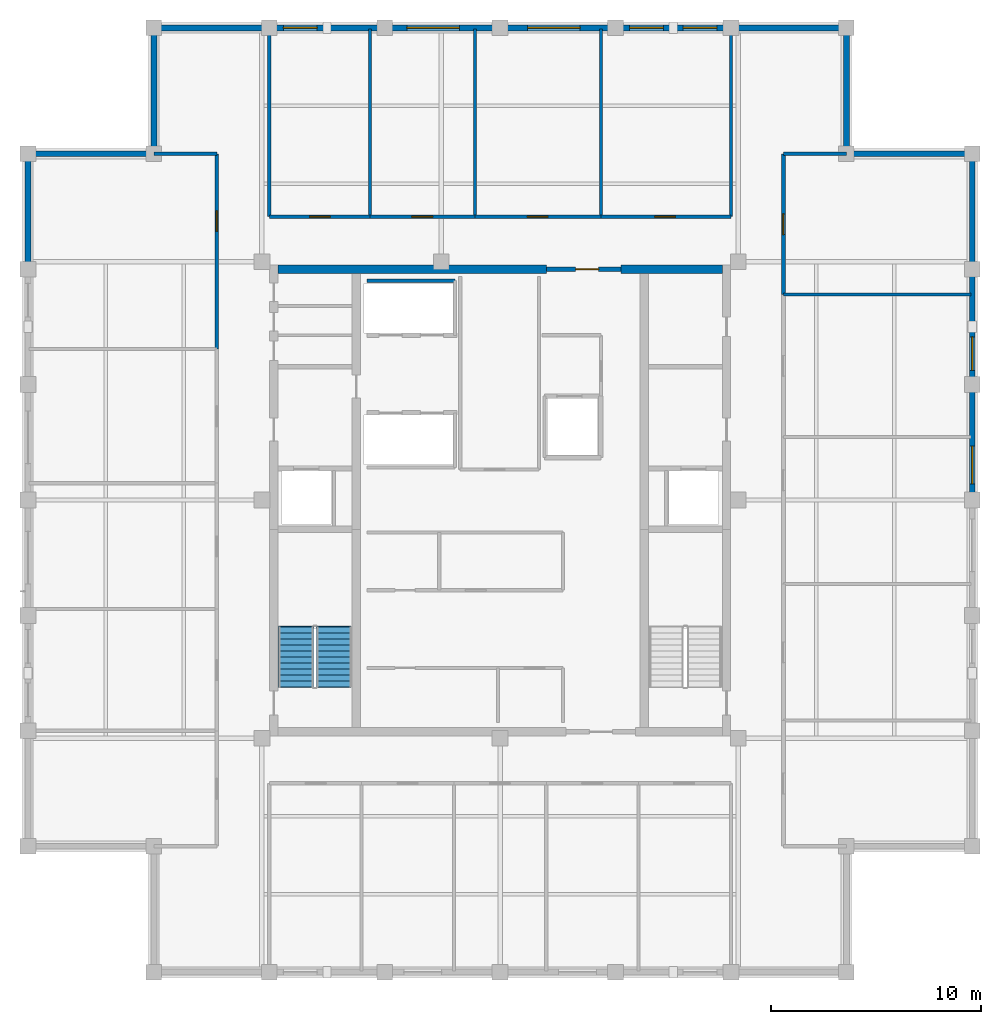
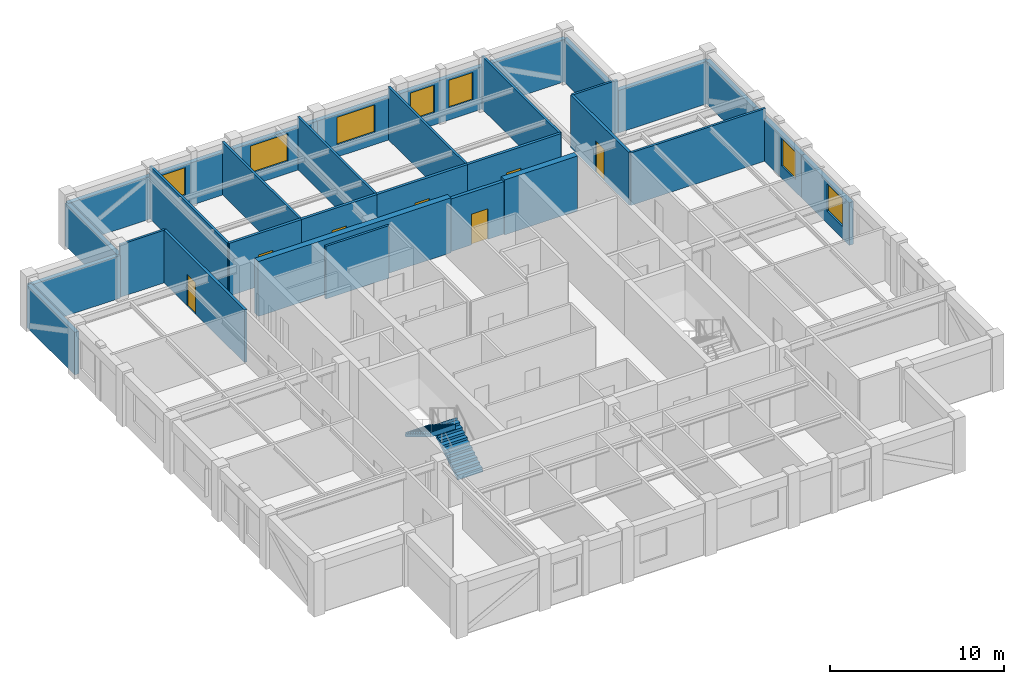
# One storey, part 6 of 8: 32 walls, 7 doors, 7 windows, 2 stair flights, 14 openings, 1 element without a shape of its own.
"""IFC4 building model written with IfcOpenShell, lengths in metres."""

from ifc_helpers import new_model, si_unit, direction, frame, frame_2d, origin, place, context, subcontext, project, spatial, polyline, rectangle, outline, extrude, material, layer, layer_set, type_object, element, fill, aggregate, save


model = new_model("IFC4")

# Units and contexts
model_context = context("Model", 3, precision=1e-05, world=origin(), true_north=direction((0.0, 1.0)))
body_context = subcontext(model_context, "Body", "Model", "MODEL_VIEW")
ifc_project = project(units=[si_unit("LENGTHUNIT", "METRE"), si_unit("AREAUNIT", "SQUARE_METRE"), si_unit("VOLUMEUNIT", "CUBIC_METRE"), si_unit("PLANEANGLEUNIT", "RADIAN"), si_unit("MASSUNIT", "GRAM", prefix="KILO")], contexts=[model_context])

# Site, building, storey
site_placement = place(None, origin())
site = spatial("IfcSite", under=ifc_project, at=site_placement, CompositionType="ELEMENT")
building_placement = place(site_placement, origin())
building = spatial("IfcBuilding", under=site, at=building_placement, Name="Nhamokura Convention Tower", CompositionType="ELEMENT")
storey_placement = place(building_placement, frame((0.0, 0.0, 292.949951171875)))
storey = spatial("IfcBuildingStorey", under=building, at=storey_placement, Name="L72", CompositionType="ELEMENT", Elevation=292.949951171875)

# Wall
ifc_material_1 = material(Name="Bronze-pigmented precast concrete C45/55", Category="concrete")
ifc_layer_1 = layer(ifc_material_1, 0.280029296875)
ifc_layer_set_1 = layer_set([ifc_layer_1], Name="BronzePrecastSpandrel_280")
wall_type_1 = type_object("IfcWallType", Name="BronzePrecastSpandrel_280", PredefinedType="USERDEFINED", material=ifc_layer_set_1)
wall_1_placement = place(storey_placement, frame((15.5, 54.5, 0.0), z_axis=(0.0, 0.0, 1.0), x_axis=(1.0, 0.0, 0.0)))
element("IfcWall", 1, at=wall_1_placement, inside=storey, type_object=wall_type_1, Name="L72 Braced-Bay Precast Wall NORTH 0", ObjectType="SPANDREL_WALL", PredefinedType="USERDEFINED", context=body_context, shape_type="SweptSolid", body=[
    extrude(rectangle(XDim=5.5, YDim=0.280029296875, at=frame_2d((2.75, 0.0))), origin(), (0.0, 0.0, 1.0), 2.985107421875),
])

# Wall, opening, window
wall_2_placement = place(storey_placement, frame((21.0, 54.5, 0.0), z_axis=(0.0, 0.0, 1.0), x_axis=(1.0, 0.0, 0.0)))
wall_2 = element("IfcWall", 2, at=wall_2_placement, inside=storey, type_object=wall_type_1, Name="L72 Masonry-Frame Wall NORTH 1", ObjectType="SPANDREL_WALL", PredefinedType="USERDEFINED", context=body_context, shape_type="SweptSolid", body=[
    extrude(rectangle(XDim=5.5, YDim=0.280029296875, at=frame_2d((2.75, 0.0))), origin(), (0.0, 0.0, 1.0), 2.985107421875),
])
opening_1_placement = place(wall_2_placement, frame((0.675048828125, 0.0, 0.85009765625)))
opening_1 = element("IfcOpeningElement", 3, at=opening_1_placement, cuts=wall_2, Name="Opening W-11", PredefinedType="OPENING", context=body_context, shape_type="SweptSolid", body=[
    extrude(rectangle(XDim=1.60009765625, YDim=1.93505859375, at=frame_2d((0.800048828125, 0.967529296875))), frame((0.0, 0.14990234375, 0.0), z_axis=(0.0, -1.0, 0.0), x_axis=(1.0, 0.0, 0.0)), (0.0, 0.0, 1.0), 0.300048828125),
])
ifc_material_2 = material(Name="Solar-control bronze low-E double glass", Category="glass")
window_type_1 = type_object("IfcWindowType", Name="NotchCornerWindow_1600", PartitioningType="SINGLE_PANEL", PredefinedType="WINDOW", material=ifc_material_2)
window_1_placement = place(opening_1_placement, origin())
window_1 = element("IfcWindow", 4, at=window_1_placement, inside=storey, type_object=window_type_1, Name="L72 Facade Window NORTH 1-1", OverallHeight=1.93505859375, OverallWidth=1.60009765625, PartitioningType="SINGLE_PANEL", PredefinedType="WINDOW", context=body_context, shape_type="SweptSolid", body=[
    extrude(rectangle(XDim=1.60009765625, YDim=1.93505859375, at=frame_2d((0.800048828125, 0.967529296875))), frame((0.0, 0.030029296875, 0.0), z_axis=(0.0, -1.0, 0.0), x_axis=(1.0, 0.0, 0.0)), (0.0, 0.0, 1.0), 0.06005859375),
])
fill(opening_1, window_1)

wall_3_placement = place(storey_placement, frame((26.5, 54.5, 0.0), z_axis=(0.0, 0.0, 1.0), x_axis=(1.0, 0.0, 0.0)))
wall_3 = element("IfcWall", 5, at=wall_3_placement, inside=storey, type_object=wall_type_1, Name="L72 Masonry-Frame Wall NORTH 2", ObjectType="SPANDREL_WALL", PredefinedType="USERDEFINED", context=body_context, shape_type="SweptSolid", body=[
    extrude(rectangle(XDim=5.5, YDim=0.280029296875, at=frame_2d((2.75, 0.0))), origin(), (0.0, 0.0, 1.0), 2.985107421875),
])
opening_2_placement = place(wall_3_placement, frame((1.0625, 0.0, 0.85009765625)))
opening_2 = element("IfcOpeningElement", 6, at=opening_2_placement, cuts=wall_3, Name="Opening W-09", PredefinedType="OPENING", context=body_context, shape_type="SweptSolid", body=[
    extrude(rectangle(XDim=2.5, YDim=1.93505859375, at=frame_2d((1.25, 0.967529296875))), frame((0.0, 0.14990234375, 0.0), z_axis=(0.0, -1.0, 0.0), x_axis=(1.0, 0.0, 0.0)), (0.0, 0.0, 1.0), 0.300048828125),
])
ifc_material_3 = material(Name="Solar-control bronze low-E double glass", Category="glass")
window_type_2 = type_object("IfcWindowType", Name="SummitWindow_Z4_2500", PartitioningType="DOUBLE_PANEL_VERTICAL", PredefinedType="WINDOW", material=ifc_material_3)
window_2_placement = place(opening_2_placement, origin())
window_2 = element("IfcWindow", 7, at=window_2_placement, inside=storey, type_object=window_type_2, Name="L72 Facade Window NORTH 2-1", OverallHeight=1.93505859375, OverallWidth=2.5, PartitioningType="SINGLE_PANEL", PredefinedType="WINDOW", context=body_context, shape_type="SweptSolid", body=[
    extrude(rectangle(XDim=2.5, YDim=1.93505859375, at=frame_2d((1.25, 0.967529296875))), frame((0.0, 0.030029296875, 0.0), z_axis=(0.0, -1.0, 0.0), x_axis=(1.0, 0.0, 0.0)), (0.0, 0.0, 1.0), 0.06005859375),
])
fill(opening_2, window_2)

wall_4_placement = place(storey_placement, frame((32.0, 54.5, 0.0), z_axis=(0.0, 0.0, 1.0), x_axis=(1.0, 0.0, 0.0)))
wall_4 = element("IfcWall", 8, at=wall_4_placement, inside=storey, type_object=wall_type_1, Name="L72 Masonry-Frame Wall NORTH 3", ObjectType="SPANDREL_WALL", PredefinedType="USERDEFINED", context=body_context, shape_type="SweptSolid", body=[
    extrude(rectangle(XDim=5.5, YDim=0.280029296875, at=frame_2d((2.75, 0.0))), origin(), (0.0, 0.0, 1.0), 2.985107421875),
])
opening_3_placement = place(wall_4_placement, frame((1.3125, 0.0, 0.85009765625)))
opening_3 = element("IfcOpeningElement", 9, at=opening_3_placement, cuts=wall_4, Name="Opening W-09", PredefinedType="OPENING", context=body_context, shape_type="SweptSolid", body=[
    extrude(rectangle(XDim=2.5, YDim=1.93505859375, at=frame_2d((1.25, 0.967529296875))), frame((0.0, 0.14990234375, 0.0), z_axis=(0.0, -1.0, 0.0), x_axis=(1.0, 0.0, 0.0)), (0.0, 0.0, 1.0), 0.300048828125),
])
window_3_placement = place(opening_3_placement, origin())
window_3 = element("IfcWindow", 10, at=window_3_placement, inside=storey, type_object=window_type_2, Name="L72 Facade Window NORTH 3", OverallHeight=1.93505859375, OverallWidth=2.5, PartitioningType="SINGLE_PANEL", PredefinedType="WINDOW", context=body_context, shape_type="SweptSolid", body=[
    extrude(rectangle(XDim=2.5, YDim=1.93505859375, at=frame_2d((1.25, 0.967529296875))), frame((0.0, 0.030029296875, 0.0), z_axis=(0.0, -1.0, 0.0), x_axis=(1.0, 0.0, 0.0)), (0.0, 0.0, 1.0), 0.06005859375),
])
fill(opening_3, window_3)

# Wall, openings, windows
wall_5_placement = place(storey_placement, frame((37.5, 54.5, 0.0), z_axis=(0.0, 0.0, 1.0), x_axis=(1.0, 0.0, 0.0)))
wall_5 = element("IfcWall", 11, at=wall_5_placement, inside=storey, type_object=wall_type_1, Name="L72 Masonry-Frame Wall NORTH 4", ObjectType="SPANDREL_WALL", PredefinedType="USERDEFINED", context=body_context, shape_type="SweptSolid", body=[
    extrude(rectangle(XDim=5.5, YDim=0.280029296875, at=frame_2d((2.75, 0.0))), origin(), (0.0, 0.0, 1.0), 2.985107421875),
])
opening_4_placement = place(wall_5_placement, frame((0.675048828125, 0.0, 0.85009765625)))
opening_4 = element("IfcOpeningElement", 12, at=opening_4_placement, cuts=wall_5, Name="Opening W-11", PredefinedType="OPENING", context=body_context, shape_type="SweptSolid", body=[
    extrude(rectangle(XDim=1.60009765625, YDim=1.93505859375, at=frame_2d((0.800048828125, 0.967529296875))), frame((0.0, 0.14990234375, 0.0), z_axis=(0.0, -1.0, 0.0), x_axis=(1.0, 0.0, 0.0)), (0.0, 0.0, 1.0), 0.300048828125),
])
opening_5_placement = place(wall_5_placement, frame((3.22509765625, 0.0, 0.85009765625)))
opening_5 = element("IfcOpeningElement", 13, at=opening_5_placement, cuts=wall_5, Name="Opening W-11", PredefinedType="OPENING", context=body_context, shape_type="SweptSolid", body=[
    extrude(rectangle(XDim=1.60009765625, YDim=1.93505859375, at=frame_2d((0.800048828125, 0.967529296875))), frame((0.0, 0.14990234375, 0.0), z_axis=(0.0, -1.0, 0.0), x_axis=(1.0, 0.0, 0.0)), (0.0, 0.0, 1.0), 0.300048828125),
])
window_4_placement = place(opening_4_placement, origin())
window_4 = element("IfcWindow", 14, at=window_4_placement, inside=storey, type_object=window_type_1, Name="L72 Facade Window NORTH 4-1", OverallHeight=1.93505859375, OverallWidth=1.60009765625, PartitioningType="SINGLE_PANEL", PredefinedType="WINDOW", context=body_context, shape_type="SweptSolid", body=[
    extrude(rectangle(XDim=1.60009765625, YDim=1.93505859375, at=frame_2d((0.800048828125, 0.967529296875))), frame((0.0, 0.030029296875, 0.0), z_axis=(0.0, -1.0, 0.0), x_axis=(1.0, 0.0, 0.0)), (0.0, 0.0, 1.0), 0.06005859375),
])
fill(opening_4, window_4)
window_5_placement = place(opening_5_placement, origin())
window_5 = element("IfcWindow", 15, at=window_5_placement, inside=storey, type_object=window_type_1, Name="L72 Facade Window NORTH 4-2", OverallHeight=1.93505859375, OverallWidth=1.60009765625, PartitioningType="SINGLE_PANEL", PredefinedType="WINDOW", context=body_context, shape_type="SweptSolid", body=[
    extrude(rectangle(XDim=1.60009765625, YDim=1.93505859375, at=frame_2d((0.800048828125, 0.967529296875))), frame((0.0, 0.030029296875, 0.0), z_axis=(0.0, -1.0, 0.0), x_axis=(1.0, 0.0, 0.0)), (0.0, 0.0, 1.0), 0.06005859375),
])
fill(opening_5, window_5)

# Walls
for number, where, z_axis, x_axis, name in (
    (16, (43.0, 54.5, 0.0), (0.0, 0.0, 1.0), (1.0, 0.0, 0.0), "L72 Braced-Bay Precast Wall NORTH 5"),
    (17, (9.5, 43.0, 0.0), (0.0, 0.0, 1.0), (0.0, 1.0, 0.0), "L72 Braced-Bay Precast Wall WEST 5"),
):
    element("IfcWall", number, at=place(storey_placement, frame(where, z_axis=z_axis, x_axis=x_axis)), inside=storey, type_object=wall_type_1, Name=name, ObjectType="SPANDREL_WALL", PredefinedType="USERDEFINED", context=body_context, shape_type="SweptSolid", body=[
        extrude(rectangle(XDim=5.5, YDim=0.280029296875, at=frame_2d((2.75, 0.0))), origin(), (0.0, 0.0, 1.0), 2.985107421875),
    ])

# Wall, opening, window
wall_6_placement = place(storey_placement, frame((54.5, 37.5, 0.0), z_axis=(0.0, 0.0, 1.0), x_axis=(0.0, -1.0, 0.0)))
wall_6 = element("IfcWall", 18, at=wall_6_placement, inside=storey, type_object=wall_type_1, Name="L72 Masonry-Frame Wall EAST 3", ObjectType="SPANDREL_WALL", PredefinedType="USERDEFINED", context=body_context, shape_type="SweptSolid", body=[
    extrude(rectangle(XDim=5.5, YDim=0.280029296875, at=frame_2d((2.75, 0.0))), origin(), (0.0, 0.0, 1.0), 2.985107421875),
])
opening_6_placement = place(wall_6_placement, frame((2.9375, 0.0, 0.85009765625)))
opening_6 = element("IfcOpeningElement", 19, at=opening_6_placement, cuts=wall_6, Name="Opening W-10", PredefinedType="OPENING", context=body_context, shape_type="SweptSolid", body=[
    extrude(rectangle(XDim=1.800048828125, YDim=1.93505859375, at=frame_2d((0.89990234375, 0.967529296875))), frame((0.0, 0.14990234375, 0.0), z_axis=(0.0, -1.0, 0.0), x_axis=(1.0, 0.0, 0.0)), (0.0, 0.0, 1.0), 0.300048828125),
])
ifc_material_4 = material(Name="Solar-control bronze low-E double glass", Category="glass")
window_type_3 = type_object("IfcWindowType", Name="SummitWindow_Z4_1800", PartitioningType="SINGLE_PANEL", PredefinedType="WINDOW", material=ifc_material_4)
window_6_placement = place(opening_6_placement, origin())
window_6 = element("IfcWindow", 20, at=window_6_placement, inside=storey, type_object=window_type_3, Name="L72 Facade Window EAST 3-2", OverallHeight=1.93505859375, OverallWidth=1.800048828125, PartitioningType="SINGLE_PANEL", PredefinedType="WINDOW", context=body_context, shape_type="SweptSolid", body=[
    extrude(rectangle(XDim=1.800048828125, YDim=1.93505859375, at=frame_2d((0.89990234375, 0.967529296875))), frame((0.0, 0.030029296875, 0.0), z_axis=(0.0, -1.0, 0.0), x_axis=(1.0, 0.0, 0.0)), (0.0, 0.0, 1.0), 0.06005859375),
])
fill(opening_6, window_6)

wall_7_placement = place(storey_placement, frame((54.5, 43.0, 0.0), z_axis=(0.0, 0.0, 1.0), x_axis=(0.0, -1.0, 0.0)))
wall_7 = element("IfcWall", 21, at=wall_7_placement, inside=storey, type_object=wall_type_1, Name="L72 Masonry-Frame Wall EAST 4", ObjectType="SPANDREL_WALL", PredefinedType="USERDEFINED", context=body_context, shape_type="SweptSolid", body=[
    extrude(rectangle(XDim=5.5, YDim=0.280029296875, at=frame_2d((2.75, 0.0))), origin(), (0.0, 0.0, 1.0), 2.985107421875),
])
opening_7_placement = place(wall_7_placement, frame((3.22509765625, 0.0, 0.85009765625)))
opening_7 = element("IfcOpeningElement", 22, at=opening_7_placement, cuts=wall_7, Name="Opening W-11", PredefinedType="OPENING", context=body_context, shape_type="SweptSolid", body=[
    extrude(rectangle(XDim=1.60009765625, YDim=1.93505859375, at=frame_2d((0.800048828125, 0.967529296875))), frame((0.0, 0.14990234375, 0.0), z_axis=(0.0, -1.0, 0.0), x_axis=(1.0, 0.0, 0.0)), (0.0, 0.0, 1.0), 0.300048828125),
])
window_7_placement = place(opening_7_placement, origin())
window_7 = element("IfcWindow", 23, at=window_7_placement, inside=storey, type_object=window_type_1, Name="L72 Facade Window EAST 4-3", OverallHeight=1.93505859375, OverallWidth=1.60009765625, PartitioningType="SINGLE_PANEL", PredefinedType="WINDOW", context=body_context, shape_type="SweptSolid", body=[
    extrude(rectangle(XDim=1.60009765625, YDim=1.93505859375, at=frame_2d((0.800048828125, 0.967529296875))), frame((0.0, 0.030029296875, 0.0), z_axis=(0.0, -1.0, 0.0), x_axis=(1.0, 0.0, 0.0)), (0.0, 0.0, 1.0), 0.06005859375),
])
fill(opening_7, window_7)

# Walls
wall_8_placement = place(storey_placement, frame((54.5, 48.5, 0.0), z_axis=(0.0, 0.0, 1.0), x_axis=(0.0, -1.0, 0.0)))
element("IfcWall", 24, at=wall_8_placement, inside=storey, type_object=wall_type_1, Name="L72 Braced-Bay Precast Wall EAST 5", ObjectType="SPANDREL_WALL", PredefinedType="USERDEFINED", context=body_context, shape_type="SweptSolid", body=[
    extrude(rectangle(XDim=5.5, YDim=0.280029296875, at=frame_2d((2.75, 0.0))), origin(), (0.0, 0.0, 1.0), 2.985107421875),
])
for number, where, z_axis, x_axis, name in (
    (25, (48.5, 48.5, 0.0), (0.0, 0.0, 1.0), (1.0, 0.0, 0.0), "L72 Notched Corner Wall NE1"),
    (26, (48.5, 54.5, 0.0), (0.0, 0.0, 1.0), (0.0, -1.0, 0.0), "L72 Notched Corner Wall NE2"),
    (27, (15.5, 48.5, 0.0), (0.0, 0.0, 1.0), (0.0, 1.0, 0.0), "L72 Notched Corner Wall NW1"),
    (28, (9.5, 48.5, 0.0), (0.0, 0.0, 1.0), (1.0, 0.0, 0.0), "L72 Notched Corner Wall NW2"),
):
    element("IfcWall", number, at=place(storey_placement, frame(where, z_axis=z_axis, x_axis=x_axis)), inside=storey, type_object=wall_type_1, Name=name, ObjectType="SPANDREL_WALL", PredefinedType="USERDEFINED", context=body_context, shape_type="SweptSolid", body=[
        extrude(rectangle(XDim=6.0, YDim=0.280029296875, at=frame_2d((3.0, 0.0))), origin(), (0.0, 0.0, 1.0), 2.985107421875),
    ])
ifc_material_5 = material(Name="Concrete C50/60", Category="concrete")
ifc_layer_2 = layer(ifc_material_5, 0.39990234375)
ifc_layer_set_2 = layer_set([ifc_layer_2], Name="CoreShearWall_400")
wall_type_2 = type_object("IfcWallType", Name="CoreShearWall_400", PredefinedType="SHEAR", material=ifc_layer_set_2)
wall_9_placement = place(storey_placement, frame((21.409912109375, 43.0, 0.0), z_axis=(0.0, 0.0, 1.0), x_axis=(1.0, 0.0, 0.0)))
element("IfcWall", 29, at=wall_9_placement, inside=storey, type_object=wall_type_2, Name="L72 Core Shear Wall CW-N1", PredefinedType="SHEAR", context=body_context, shape_type="SweptSolid", body=[
    extrude(rectangle(XDim=12.7900390625, YDim=0.39990234375, at=frame_2d((6.39501953125, 0.0))), origin(), (0.0, 0.0, 1.0), 3.85009765625),
])
wall_10_placement = place(storey_placement, frame((37.75, 43.0, 0.0), z_axis=(0.0, 0.0, 1.0), x_axis=(1.0, 0.0, 0.0)))
element("IfcWall", 30, at=wall_10_placement, inside=storey, type_object=wall_type_2, Name="L72 Core Shear Wall CW-N2", PredefinedType="SHEAR", context=body_context, shape_type="SweptSolid", body=[
    extrude(rectangle(XDim=4.840087890625, YDim=0.39990234375, at=frame_2d((2.419921875, 0.0))), origin(), (0.0, 0.0, 1.0), 3.85009765625),
])

# Wall, opening, door
ifc_material_6 = material(Name="Fire-rated gypsum and masonry partition", Category="masonry")
ifc_layer_3 = layer(ifc_material_6, 0.179931640625)
ifc_layer_set_3 = layer_set([ifc_layer_3], Name="CorridorRatedWall_180")
wall_type_3 = type_object("IfcWallType", Name="CorridorRatedWall_180", PredefinedType="STANDARD", material=ifc_layer_set_3)
wall_11_placement = place(storey_placement, frame((21.0, 45.5, 0.0), z_axis=(0.0, 0.0, 1.0), x_axis=(1.0, 0.0, 0.0)))
wall_11 = element("IfcWall", 31, at=wall_11_placement, inside=storey, type_object=wall_type_3, Name="L72 Wall INT-L72-CW-N00", PredefinedType="STANDARD", context=body_context, shape_type="SweptSolid", body=[
    extrude(rectangle(XDim=4.800048828125, YDim=0.179931640625, at=frame_2d((2.39990234375, 0.0))), origin(), (0.0, 0.0, 1.0), 3.68505859375),
])
opening_8_placement = place(wall_11_placement, frame((1.925048828125, 0.0, 0.0)))
opening_8 = element("IfcOpeningElement", 32, at=opening_8_placement, cuts=wall_11, Name="Opening D-08", PredefinedType="OPENING", context=body_context, shape_type="SweptSolid", body=[
    extrude(rectangle(XDim=0.97998046875, YDim=2.199951171875, at=frame_2d((0.489990234375, 1.10009765625))), frame((0.0, 0.099853515625, 0.0), z_axis=(0.0, -1.0, 0.0), x_axis=(1.0, 0.0, 0.0)), (0.0, 0.0, 1.0), 0.199951171875),
])
ifc_material_7 = material(Name="Solid oak hardwood", Category="wood")
door_type_1 = type_object("IfcDoorType", Name="OfficeEntryDoor_980", OperationType="NOTDEFINED", PredefinedType="DOOR", material=ifc_material_7)
door_1_placement = place(opening_8_placement, origin())
door_1 = element("IfcDoor", 33, at=door_1_placement, inside=storey, type_object=door_type_1, Name="L72 Research Library N01 Door", OperationType="SINGLE_SWING_LEFT", OverallHeight=2.199951171875, OverallWidth=0.97998046875, PredefinedType="DOOR", context=body_context, shape_type="SweptSolid", body=[
    extrude(rectangle(XDim=0.97998046875, YDim=2.199951171875, at=frame_2d((0.489990234375, 1.10009765625))), frame((0.0, 0.02490234375, 0.0), z_axis=(0.0, -1.0, 0.0), x_axis=(1.0, 0.0, 0.0)), (0.0, 0.0, 1.0), 0.050048828125),
])
fill(opening_8, door_1)

wall_12_placement = place(storey_placement, frame((25.800048828125, 45.5, 0.0), z_axis=(0.0, 0.0, 1.0), x_axis=(1.0, 0.0, 0.0)))
wall_12 = element("IfcWall", 34, at=wall_12_placement, inside=storey, type_object=wall_type_3, Name="L72 Wall INT-L72-CW-N01", PredefinedType="STANDARD", context=body_context, shape_type="SweptSolid", body=[
    extrude(rectangle(XDim=5.0, YDim=0.179931640625, at=frame_2d((2.5, 0.0))), origin(), (0.0, 0.0, 1.0), 3.68505859375),
])
opening_9_placement = place(wall_12_placement, frame((2.0, 0.0, 0.0)))
opening_9 = element("IfcOpeningElement", 35, at=opening_9_placement, cuts=wall_12, Name="Opening D-08", PredefinedType="OPENING", context=body_context, shape_type="SweptSolid", body=[
    extrude(rectangle(XDim=0.97998046875, YDim=2.199951171875, at=frame_2d((0.489990234375, 1.10009765625))), frame((0.0, 0.099853515625, 0.0), z_axis=(0.0, -1.0, 0.0), x_axis=(1.0, 0.0, 0.0)), (0.0, 0.0, 1.0), 0.199951171875),
])
door_2_placement = place(opening_9_placement, origin())
door_2 = element("IfcDoor", 36, at=door_2_placement, inside=storey, type_object=door_type_1, Name="L72 Research Library N02 Door", OperationType="SINGLE_SWING_RIGHT", OverallHeight=2.199951171875, OverallWidth=0.97998046875, PredefinedType="DOOR", context=body_context, shape_type="SweptSolid", body=[
    extrude(rectangle(XDim=0.97998046875, YDim=2.199951171875, at=frame_2d((0.489990234375, 1.10009765625))), frame((0.0, 0.02490234375, 0.0), z_axis=(0.0, -1.0, 0.0), x_axis=(1.0, 0.0, 0.0)), (0.0, 0.0, 1.0), 0.050048828125),
])
fill(opening_9, door_2)

wall_13_placement = place(storey_placement, frame((30.800048828125, 45.5, 0.0), z_axis=(0.0, 0.0, 1.0), x_axis=(1.0, 0.0, 0.0)))
wall_13 = element("IfcWall", 37, at=wall_13_placement, inside=storey, type_object=wall_type_3, Name="L72 Wall INT-L72-CW-N02", PredefinedType="STANDARD", context=body_context, shape_type="SweptSolid", body=[
    extrude(rectangle(XDim=6.0, YDim=0.179931640625, at=frame_2d((3.0, 0.0))), origin(), (0.0, 0.0, 1.0), 3.68505859375),
])
opening_10_placement = place(wall_13_placement, frame((2.5, 0.0, 0.0)))
opening_10 = element("IfcOpeningElement", 38, at=opening_10_placement, cuts=wall_13, Name="Opening D-08", PredefinedType="OPENING", context=body_context, shape_type="SweptSolid", body=[
    extrude(rectangle(XDim=0.97998046875, YDim=2.199951171875, at=frame_2d((0.489990234375, 1.10009765625))), frame((0.0, 0.099853515625, 0.0), z_axis=(0.0, -1.0, 0.0), x_axis=(1.0, 0.0, 0.0)), (0.0, 0.0, 1.0), 0.199951171875),
])
door_3_placement = place(opening_10_placement, origin())
door_3 = element("IfcDoor", 39, at=door_3_placement, inside=storey, type_object=door_type_1, Name="L72 Research Library N03 Door", OperationType="SINGLE_SWING_LEFT", OverallHeight=2.199951171875, OverallWidth=0.97998046875, PredefinedType="DOOR", context=body_context, shape_type="SweptSolid", body=[
    extrude(rectangle(XDim=0.97998046875, YDim=2.199951171875, at=frame_2d((0.489990234375, 1.10009765625))), frame((0.0, 0.02490234375, 0.0), z_axis=(0.0, -1.0, 0.0), x_axis=(1.0, 0.0, 0.0)), (0.0, 0.0, 1.0), 0.050048828125),
])
fill(opening_10, door_3)

wall_14_placement = place(storey_placement, frame((36.800048828125, 45.5, 0.0), z_axis=(0.0, 0.0, 1.0), x_axis=(1.0, 0.0, 0.0)))
wall_14 = element("IfcWall", 40, at=wall_14_placement, inside=storey, type_object=wall_type_3, Name="L72 Wall INT-L72-CW-N03", PredefinedType="STANDARD", context=body_context, shape_type="SweptSolid", body=[
    extrude(rectangle(XDim=6.199951171875, YDim=0.179931640625, at=frame_2d((3.10009765625, 0.0))), origin(), (0.0, 0.0, 1.0), 3.68505859375),
])
opening_11_placement = place(wall_14_placement, frame((2.574951171875, 0.0, 0.0)))
opening_11 = element("IfcOpeningElement", 41, at=opening_11_placement, cuts=wall_14, Name="Opening D-08", PredefinedType="OPENING", context=body_context, shape_type="SweptSolid", body=[
    extrude(rectangle(XDim=0.97998046875, YDim=2.199951171875, at=frame_2d((0.489990234375, 1.10009765625))), frame((0.0, 0.099853515625, 0.0), z_axis=(0.0, -1.0, 0.0), x_axis=(1.0, 0.0, 0.0)), (0.0, 0.0, 1.0), 0.199951171875),
])
door_4_placement = place(opening_11_placement, origin())
door_4 = element("IfcDoor", 42, at=door_4_placement, inside=storey, type_object=door_type_1, Name="L72 Research Library N04 Door", OperationType="SINGLE_SWING_RIGHT", OverallHeight=2.199951171875, OverallWidth=0.97998046875, PredefinedType="DOOR", context=body_context, shape_type="SweptSolid", body=[
    extrude(rectangle(XDim=0.97998046875, YDim=2.199951171875, at=frame_2d((0.489990234375, 1.10009765625))), frame((0.0, 0.02490234375, 0.0), z_axis=(0.0, -1.0, 0.0), x_axis=(1.0, 0.0, 0.0)), (0.0, 0.0, 1.0), 0.050048828125),
])
fill(opening_11, door_4)

wall_15_placement = place(storey_placement, frame((18.5, 39.199951171875, 0.0), z_axis=(0.0, 0.0, 1.0), x_axis=(0.0, 1.0, 0.0)))
wall_15 = element("IfcWall", 43, at=wall_15_placement, inside=storey, type_object=wall_type_3, Name="L72 Wall INT-L72-CW-W04", PredefinedType="STANDARD", context=body_context, shape_type="SweptSolid", body=[
    extrude(rectangle(XDim=9.300048828125, YDim=0.179931640625, at=frame_2d((4.64990234375, 0.0))), origin(), (0.0, 0.0, 1.0), 3.68505859375),
])
opening_12_placement = place(wall_15_placement, frame((5.60009765625, 0.0, 0.0)))
opening_12 = element("IfcOpeningElement", 44, at=opening_12_placement, cuts=wall_15, Name="Opening D-08", PredefinedType="OPENING", context=body_context, shape_type="SweptSolid", body=[
    extrude(rectangle(XDim=0.97998046875, YDim=2.199951171875, at=frame_2d((0.489990234375, 1.10009765625))), frame((0.0, 0.099853515625, 0.0), z_axis=(0.0, -1.0, 0.0), x_axis=(1.0, 0.0, 0.0)), (0.0, 0.0, 1.0), 0.199951171875),
])
door_5_placement = place(opening_12_placement, origin())
door_5 = element("IfcDoor", 45, at=door_5_placement, inside=storey, type_object=door_type_1, Name="L72 Private Office W05 Door", OperationType="SINGLE_SWING_LEFT", OverallHeight=2.199951171875, OverallWidth=0.97998046875, PredefinedType="DOOR", context=body_context, shape_type="SweptSolid", body=[
    extrude(rectangle(XDim=0.97998046875, YDim=2.199951171875, at=frame_2d((0.489990234375, 1.10009765625))), frame((0.0, 0.02490234375, 0.0), z_axis=(0.0, -1.0, 0.0), x_axis=(1.0, 0.0, 0.0)), (0.0, 0.0, 1.0), 0.050048828125),
])
fill(opening_12, door_5)

wall_16_placement = place(storey_placement, frame((45.5, 41.800048828125, 0.0), z_axis=(0.0, 0.0, 1.0), x_axis=(0.0, 1.0, 0.0)))
wall_16 = element("IfcWall", 46, at=wall_16_placement, inside=storey, type_object=wall_type_3, Name="L72 Wall INT-L72-CW-E04", PredefinedType="STANDARD", context=body_context, shape_type="SweptSolid", body=[
    extrude(rectangle(XDim=6.699951171875, YDim=0.179931640625, at=frame_2d((3.35009765625, 0.0))), origin(), (0.0, 0.0, 1.0), 3.68505859375),
])
opening_13_placement = place(wall_16_placement, frame((2.85009765625, 0.0, 0.0)))
opening_13 = element("IfcOpeningElement", 47, at=opening_13_placement, cuts=wall_16, Name="Opening D-08", PredefinedType="OPENING", context=body_context, shape_type="SweptSolid", body=[
    extrude(rectangle(XDim=0.97998046875, YDim=2.199951171875, at=frame_2d((0.489990234375, 1.10009765625))), frame((0.0, 0.099853515625, 0.0), z_axis=(0.0, -1.0, 0.0), x_axis=(1.0, 0.0, 0.0)), (0.0, 0.0, 1.0), 0.199951171875),
])
door_6_placement = place(opening_13_placement, origin())
door_6 = element("IfcDoor", 48, at=door_6_placement, inside=storey, type_object=door_type_1, Name="L72 Reading Lounge E05 Door", OperationType="SINGLE_SWING_LEFT", OverallHeight=2.199951171875, OverallWidth=0.97998046875, PredefinedType="DOOR", context=body_context, shape_type="SweptSolid", body=[
    extrude(rectangle(XDim=0.97998046875, YDim=2.199951171875, at=frame_2d((0.489990234375, 1.10009765625))), frame((0.0, 0.02490234375, 0.0), z_axis=(0.0, -1.0, 0.0), x_axis=(1.0, 0.0, 0.0)), (0.0, 0.0, 1.0), 0.050048828125),
])
fill(opening_13, door_6)

ifc_material_8 = material(Name="Autoclaved concrete blockwork", Category="masonry")
ifc_layer_4 = layer(ifc_material_8, 0.219970703125)
ifc_layer_set_4 = layer_set([ifc_layer_4], Name="FireLobbyWall_220")
wall_type_4 = type_object("IfcWallType", Name="FireLobbyWall_220", PredefinedType="STANDARD", material=ifc_layer_set_4)
wall_17_placement = place(storey_placement, frame((34.199951171875, 43.0, 0.0), z_axis=(0.0, 0.0, 1.0), x_axis=(1.0, 0.0, 0.0)))
wall_17 = element("IfcWall", 49, at=wall_17_placement, inside=storey, type_object=wall_type_4, Name="L72 Wall INT-L72-CPORT-N", PredefinedType="STANDARD", context=body_context, shape_type="SweptSolid", body=[
    extrude(rectangle(XDim=3.550048828125, YDim=0.219970703125, at=frame_2d((1.77490234375, 0.0))), origin(), (0.0, 0.0, 1.0), 3.68505859375),
])
opening_14_placement = place(wall_17_placement, frame((1.39990234375, 0.0, 0.0)))
opening_14 = element("IfcOpeningElement", 50, at=opening_14_placement, cuts=wall_17, Name="Opening D-05", PredefinedType="OPENING", context=body_context, shape_type="SweptSolid", body=[
    extrude(rectangle(XDim=1.10009765625, YDim=2.14990234375, at=frame_2d((0.550048828125, 1.074951171875))), frame((0.0, 0.119873046875, 0.0), z_axis=(0.0, -1.0, 0.0), x_axis=(1.0, 0.0, 0.0)), (0.0, 0.0, 1.0), 0.239990234375),
])
ifc_material_9 = material(Name="Fire-rated steel door", Category="steel")
door_type_2 = type_object("IfcDoorType", Name="FireLobbyDoor_1100", OperationType="NOTDEFINED", PredefinedType="DOOR", material=ifc_material_9)
door_7_placement = place(opening_14_placement, origin())
door_7 = element("IfcDoor", 51, at=door_7_placement, inside=storey, type_object=door_type_2, Name="L72 North Core Lobby Portal Door", OperationType="SINGLE_SWING_RIGHT", OverallHeight=2.14990234375, OverallWidth=1.10009765625, PredefinedType="DOOR", context=body_context, shape_type="SweptSolid", body=[
    extrude(rectangle(XDim=1.10009765625, YDim=2.14990234375, at=frame_2d((0.550048828125, 1.074951171875))), frame((0.0, 0.02490234375, 0.0), z_axis=(0.0, -1.0, 0.0), x_axis=(1.0, 0.0, 0.0)), (0.0, 0.0, 1.0), 0.050048828125),
])
fill(opening_14, door_7)

# Walls
ifc_material_10 = material(Name="Acoustic gypsum stud partition", Category="masonry")
ifc_layer_5 = layer(ifc_material_10, 0.14990234375)
ifc_layer_set_5 = layer_set([ifc_layer_5], Name="InteriorPartition_150")
wall_type_5 = type_object("IfcWallType", Name="InteriorPartition_150", PredefinedType="STANDARD", material=ifc_layer_set_5)
wall_18_placement = place(storey_placement, frame((25.64990234375, 42.449951171875, 0.0), z_axis=(0.0, 0.0, 1.0), x_axis=(1.0, 0.0, 0.0)))
element("IfcWall", 52, at=wall_18_placement, inside=storey, type_object=wall_type_5, Name="L72 Wall INT-L72-B3B-N", PredefinedType="STANDARD", context=body_context, shape_type="SweptSolid", body=[
    extrude(rectangle(XDim=4.2001953125, YDim=0.14990234375, at=frame_2d((2.10009765625, 0.0))), origin(), (0.0, 0.0, 1.0), 3.68505859375),
])
for number, where, z_axis, x_axis, name in (
    (53, (21.0, 45.5, 0.0), (0.0, 0.0, 1.0), (0.0, 1.0, 0.0), "L72 Wall INT-L72-RWL-N"),
    (54, (43.0, 45.5, 0.0), (0.0, 0.0, 1.0), (0.0, 1.0, 0.0), "L72 Wall INT-L72-RWR-N"),
    (55, (25.800048828125, 45.5, 0.0), (0.0, 0.0, 1.0), (0.0, 1.0, 0.0), "L72 Wall INT-L72-RW-N01"),
    (56, (30.800048828125, 45.5, 0.0), (0.0, 0.0, 1.0), (0.0, 1.0, 0.0), "L72 Wall INT-L72-RW-N02"),
    (57, (36.800048828125, 45.5, 0.0), (0.0, 0.0, 1.0), (0.0, 1.0, 0.0), "L72 Wall INT-L72-RW-N03"),
    (58, (45.5, 41.800048828125, 0.0), (0.0, 0.0, 1.0), (1.0, 0.0, 0.0), "L72 Wall INT-L72-RW-E04"),
):
    element("IfcWall", number, at=place(storey_placement, frame(where, z_axis=z_axis, x_axis=x_axis)), inside=storey, type_object=wall_type_5, Name=name, PredefinedType="STANDARD", context=body_context, shape_type="SweptSolid", body=[
        extrude(rectangle(XDim=8.93994140625, YDim=0.14990234375, at=frame_2d((4.469970703125, 0.0))), origin(), (0.0, 0.0, 1.0), 3.68505859375),
    ])
for number, where, z_axis, x_axis, name in (
    (59, (15.5, 48.5, 0.0), (0.0, 0.0, 1.0), (1.0, 0.0, 0.0), "L72 Wall INT-L72-VSTP-WN"),
    (60, (45.5, 48.5, 0.0), (0.0, 0.0, 1.0), (1.0, 0.0, 0.0), "L72 Wall INT-L72-VSTP-EN"),
):
    element("IfcWall", number, at=place(storey_placement, frame(where, z_axis=z_axis, x_axis=x_axis)), inside=storey, type_object=wall_type_5, Name=name, PredefinedType="STANDARD", context=body_context, shape_type="SweptSolid", body=[
        extrude(rectangle(XDim=3.0, YDim=0.14990234375, at=frame_2d((1.5, 0.0))), origin(), (0.0, 0.0, 1.0), 3.68505859375),
    ])

# Stair, stair flights
ifc_material_11 = material(Name="Concrete C40/50", Category="concrete")
stair_type = type_object("IfcStairType", Name="TowerCoreStair_1650", PredefinedType="HALF_TURN_STAIR", material=ifc_material_11)
stair_placement = place(storey_placement, origin())
stair = element("IfcStair", 61, at=stair_placement, inside=storey, type_object=stair_type, Name="L72 West Core Smokeproof Stair ST-01", PredefinedType="HALF_TURN_STAIR")
ifc_material_12 = material(Name="Concrete C40/50", Category="concrete")
stair_flight_type = type_object("IfcStairFlightType", Name="TowerCoreStair_1650_Flight", PredefinedType="STRAIGHT", material=ifc_material_12)
stair_flight_1_placement = place(storey_placement, frame((24.074951171875, 23.10009765625, 0.0), z_axis=(0.0, 0.0, 1.0), x_axis=(0.0, 1.0, 0.0)))
stair_flight_1 = element("IfcStairFlight", 62, at=stair_flight_1_placement, type_object=stair_flight_type, Name="ST-01 flight 1", NumberOfRisers=11, NumberOfTreads=10, PredefinedType="STRAIGHT", RiserHeight=0.175, TreadLength=0.285, context=body_context, shape_type="SweptSolid", body=[
    extrude(outline(polyline([(-0.0419921875, 0.0), (0.0, 0.175048828125), (0.284912109375, 0.175048828125), (0.284912109375, 0.35009765625), (0.570068359375, 0.35009765625), (0.570068359375, 0.52490234375), (0.85498046875, 0.52490234375), (0.85498046875, 0.699951171875), (1.139892578125, 0.699951171875), (1.139892578125, 0.875), (1.425048828125, 0.875), (1.425048828125, 1.050048828125), (1.7099609375, 1.050048828125), (1.7099609375, 1.22509765625), (1.9951171875, 1.22509765625), (1.9951171875, 1.39990234375), (2.280029296875, 1.39990234375), (2.280029296875, 1.574951171875), (2.56494140625, 1.574951171875), (2.56494140625, 1.75), (2.85009765625, 1.75), (2.85009765625, 1.925048828125), (2.89208984375, 1.925048828125), (2.89208984375, 1.573974609375), (2.85009765625, 1.573974609375), (0.286376953125, 0.0), (0.02001953125, -0.1298828125), (-0.0419921875, -0.1298828125), (-0.0419921875, 0.0)])), frame((0.0, 0.824951171875, 0.0), z_axis=(0.0, -1.0, 0.0), x_axis=(1.0, 0.0, 0.0)), (0.0, 0.0, 1.0), 1.64990234375),
])
stair_flight_2_placement = place(storey_placement, frame((22.27490234375, 25.949951171875, 1.925048828125), z_axis=(0.0, 0.0, 1.0), x_axis=(0.0, -1.0, 0.0)))
stair_flight_2 = element("IfcStairFlight", 63, at=stair_flight_2_placement, type_object=stair_flight_type, Name="ST-01 flight 2", NumberOfRisers=11, NumberOfTreads=10, PredefinedType="STRAIGHT", RiserHeight=0.175, TreadLength=0.285, context=body_context, shape_type="SweptSolid", body=[
    extrude(outline(polyline([(-0.0419921875, 0.0), (0.0, 0.175048828125), (0.284912109375, 0.175048828125), (0.284912109375, 0.35009765625), (0.570068359375, 0.35009765625), (0.570068359375, 0.52490234375), (0.85498046875, 0.52490234375), (0.85498046875, 0.699951171875), (1.139892578125, 0.699951171875), (1.139892578125, 0.875), (1.425048828125, 0.875), (1.425048828125, 1.050048828125), (1.7099609375, 1.050048828125), (1.7099609375, 1.22509765625), (1.9951171875, 1.22509765625), (1.9951171875, 1.39990234375), (2.280029296875, 1.39990234375), (2.280029296875, 1.574951171875), (2.56494140625, 1.574951171875), (2.56494140625, 1.75), (2.85009765625, 1.75), (2.85009765625, 1.925048828125), (2.89208984375, 1.925048828125), (2.89208984375, 1.573974609375), (2.85009765625, 1.573974609375), (0.286376953125, 0.0), (0.02001953125, -0.1298828125), (-0.0419921875, -0.1298828125), (-0.0419921875, 0.0)])), frame((0.0, 0.824951171875, 0.0), z_axis=(0.0, -1.0, 0.0), x_axis=(1.0, 0.0, 0.0)), (0.0, 0.0, 1.0), 1.64990234375),
])
aggregate(stair, [stair_flight_1, stair_flight_2])

save(model, "model.ifc")
